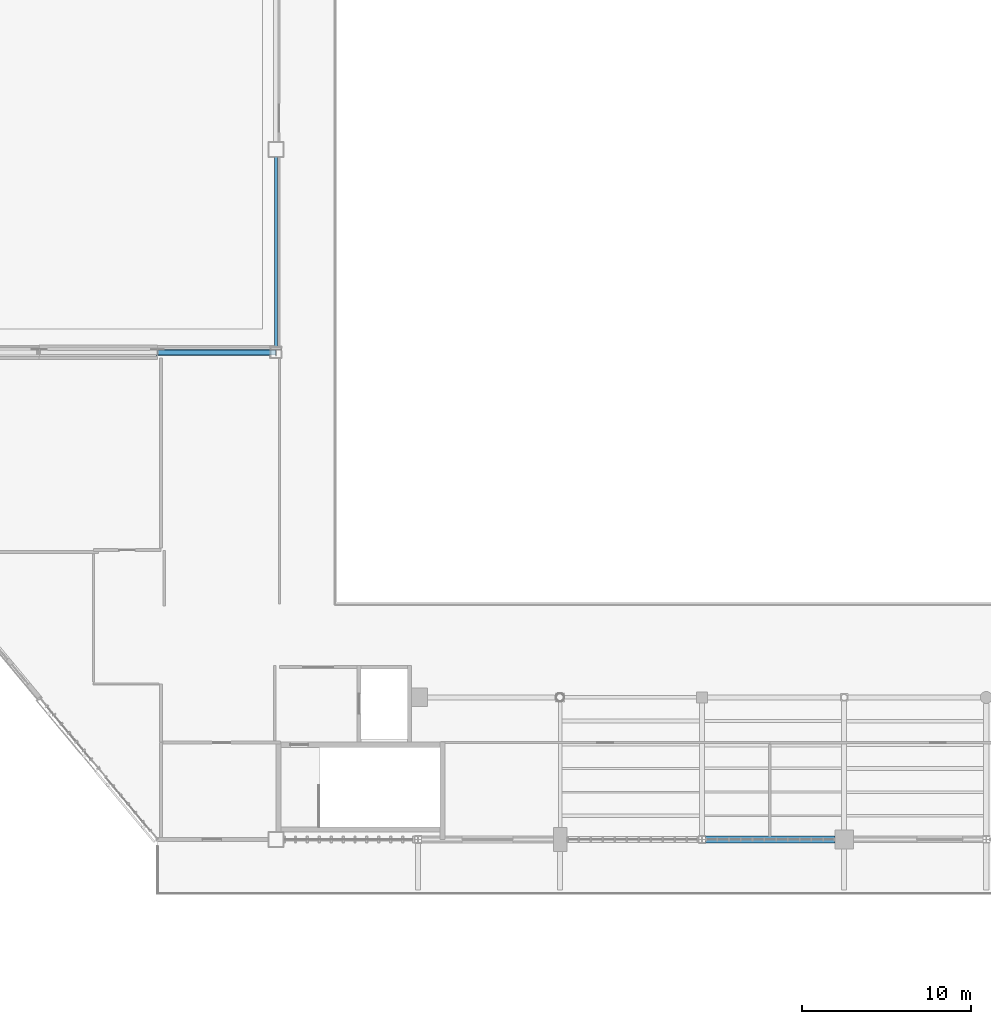
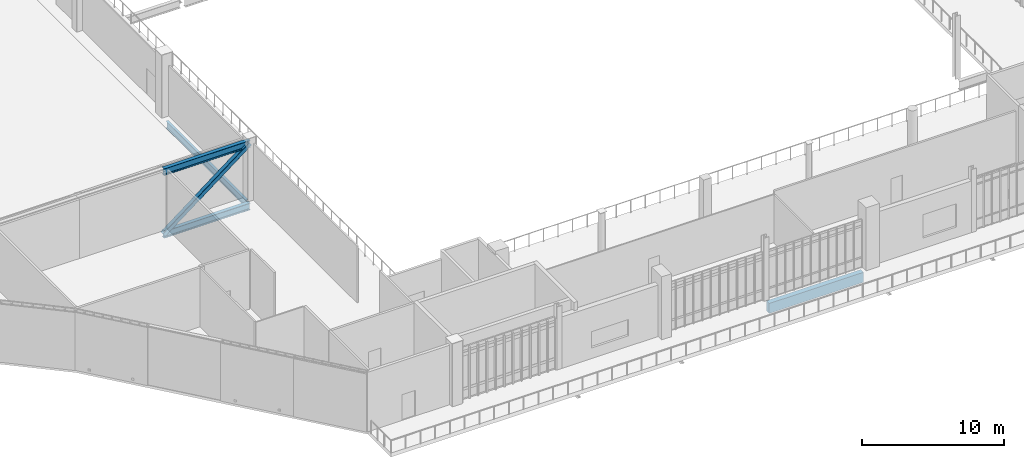
# One storey, part 12 of 135: 4 beams, 1 member.
"""IFC4 building model written with IfcOpenShell, lengths in metres."""

import ifcopenshell
import ifcopenshell.guid

model = None  # the IFC model being written
_history = None  # IfcOwnerHistory: only IFC2X3 demands one
_inside = {}  # id of a spatial element -> (the spatial element, [elements in it])
_under = {}  # id of a project, library or spatial element -> (it, [spatial elements below it])
_declared = {}  # id of a project -> (the project, [libraries it declares])
_typed = {}  # id of a type object -> (the type object, [elements of that type])
_made_of = {}  # id of a material, layer set ... -> (it, [elements and type objects made of it])


def new_model(schema):
    """Start an empty IFC model of exactly this schema.

    Asked for "IFC4X3", IfcOpenShell would pick the latest addendum, in which some entities
    have other attributes; the version numbers below select the first issue.
    IFC2X3 requires an IfcOwnerHistory on every rooted entity: one is made here for all.
    """
    global model, _history
    if schema == "IFC4X3":
        model = ifcopenshell.file(schema_version=(4, 3, 0, 0))
    else:
        model = ifcopenshell.file(schema=schema)
    _inside.clear()
    _under.clear()
    _declared.clear()
    _typed.clear()
    _made_of.clear()
    _history = None
    if model.schema == "IFC2X3":
        org = make("IfcOrganization", Name="unknown")
        user = make(
            "IfcPersonAndOrganization",
            ThePerson=make("IfcPerson", FamilyName="unknown"),
            TheOrganization=org,
        )
        app = make(
            "IfcApplication",
            ApplicationDeveloper=org,
            Version="unknown",
            ApplicationFullName="unknown",
            ApplicationIdentifier="unknown",
        )
        _history = make(
            "IfcOwnerHistory",
            OwningUser=user,
            OwningApplication=app,
            ChangeAction="ADDED",
            CreationDate=0,
        )
    return model


def make(cls, **values):
    """One entity of the class cls with the attributes given. An attribute that is None is left unset."""
    return model.create_entity(
        cls, **{name: value for name, value in values.items() if value is not None}
    )


def rooted(cls, **values):
    """An entity with a GlobalId (a new one), such as an element, a storey or a relation."""
    return make(cls, GlobalId=ifcopenshell.guid.new(), OwnerHistory=_history, **values)


def si_unit(unit_type, name, prefix=None):
    """IfcSIUnit, for example si_unit("LENGTHUNIT", "METRE", prefix="MILLI")."""
    return make("IfcSIUnit", UnitType=unit_type, Prefix=prefix, Name=name)


def assignment(units):
    """IfcUnitAssignment: the units of a project."""
    return None if units is None else make("IfcUnitAssignment", Units=units)


def point(xyz):
    """IfcCartesianPoint."""
    return None if xyz is None else make("IfcCartesianPoint", Coordinates=xyz)


def direction(xyz):
    """IfcDirection."""
    return None if xyz is None else make("IfcDirection", DirectionRatios=xyz)


def frame(location, z_axis=None, x_axis=None):
    """IfcAxis2Placement3D, a coordinate frame: its origin and axes. An axis left out is left unset."""
    return make(
        "IfcAxis2Placement3D",
        Location=point(location),
        Axis=direction(z_axis),
        RefDirection=direction(x_axis),
    )


def frame_2d(location, x_axis=None):
    """IfcAxis2Placement2D, a coordinate frame in the plane: its origin and x axis."""
    return make(
        "IfcAxis2Placement2D", Location=point(location), RefDirection=direction(x_axis)
    )


def origin():
    """The frame at (0, 0, 0) with its axes left unset."""
    return frame((0.0, 0.0, 0.0))


def origin_2d():
    """The frame at (0, 0) in the plane with its x axis left unset."""
    return frame_2d((0.0, 0.0))


def place(relative_to, where):
    """IfcLocalPlacement: puts the frame where relative to a parent placement (None: the world)."""
    return make(
        "IfcLocalPlacement", PlacementRelTo=relative_to, RelativePlacement=where
    )


def context(
    kind, dimensions, precision=None, world=None, true_north=None, identifier=None
):
    """IfcGeometricRepresentationContext, for example the 3D "Model" context."""
    return make(
        "IfcGeometricRepresentationContext",
        ContextIdentifier=identifier,
        ContextType=kind,
        CoordinateSpaceDimension=dimensions,
        Precision=precision,
        WorldCoordinateSystem=world,
        TrueNorth=true_north,
    )


def subcontext(parent, identifier, kind, view, scale=None):
    """IfcGeometricRepresentationSubContext, for example "Body" below "Model"."""
    return make(
        "IfcGeometricRepresentationSubContext",
        ContextIdentifier=identifier,
        ContextType=kind,
        ParentContext=parent,
        TargetScale=scale,
        TargetView=view,
    )


def project(units=None, contexts=None):
    """IfcProject with its units and contexts."""
    return rooted(
        "IfcProject",
        Name="project",
        RepresentationContexts=contexts,
        UnitsInContext=assignment(units),
    )


def spatial(cls, under=None, at=None, **own):
    """A site, building, storey or space (cls), placed at a placement, below another one or the project."""
    s = rooted(cls, ObjectPlacement=at, **own)
    if under is not None:
        _under.setdefault(under.id(), (under, []))[1].append(s)
    return s


def profile(cls, at=None, kind="AREA", **sizes):
    """A parametric profile (cls). Its sizes go by their IFC names, for example OverallWidth=200.0."""
    return make(cls, ProfileType=kind, Position=at, **sizes)


def rectangle(**sizes):
    """IfcRectangleProfileDef."""
    return profile("IfcRectangleProfileDef", **sizes)


def hollow_rectangle(**sizes):
    """IfcRectangleHollowProfileDef."""
    return profile("IfcRectangleHollowProfileDef", **sizes)


def i_section(**sizes):
    """IfcIShapeProfileDef."""
    return profile("IfcIShapeProfileDef", **sizes)


def extrude(swept, where, along, depth):
    """IfcExtrudedAreaSolid: the profile swept, set in the frame where, extruded along a direction by depth."""
    return make(
        "IfcExtrudedAreaSolid",
        SweptArea=swept,
        Position=where,
        ExtrudedDirection=direction(along),
        Depth=depth,
    )


def shape(context_of_items, identifier, shape_type, items):
    """IfcShapeRepresentation: the items that make up one representation, for example the "Body"."""
    return make(
        "IfcShapeRepresentation",
        ContextOfItems=context_of_items,
        RepresentationIdentifier=identifier,
        RepresentationType=shape_type,
        Items=items,
    )


def material(Name=None, Category=None):
    """IfcMaterial."""
    return make("IfcMaterial", Name=Name, Category=Category)


def material_profile(
    of_material, cross_section, Name=None, Category=None, Priority=None
):
    """IfcMaterialProfile: a cross section and its material."""
    return make(
        "IfcMaterialProfile",
        Name=Name,
        Material=of_material,
        Profile=cross_section,
        Priority=Priority,
        Category=Category,
    )


def profile_set(profiles, Name=None, composite=None):
    """IfcMaterialProfileSet."""
    return make(
        "IfcMaterialProfileSet",
        Name=Name,
        MaterialProfiles=profiles,
        CompositeProfile=composite,
    )


def made_of(thing, what):
    """Note that an element or type object is made of a material, layer set ...; save() writes the relation."""
    if what is not None:
        _made_of.setdefault(what.id(), (what, []))[1].append(thing)
    return thing


def type_object(cls, material=None, **own):
    """A type object (cls), such as IfcWallType, which elements share."""
    return made_of(rooted(cls, **own), material)


def element(
    cls,
    number,
    at=None,
    inside=None,
    cuts=None,
    type_object=None,
    material=None,
    context=None,
    identifier="Body",
    shape_type=None,
    held_by="IfcProductDefinitionShape",
    body=None,
    shapes=None,
    **own,
):
    """One element of the class cls, such as IfcWall. Its Tag is "e" and its number.

    at: its placement. inside: the storey or other place that contains it. cuts: it is an
    opening in that element (IfcRelVoidsElement). A single representation is given by context,
    identifier, shape_type and body (its items); several are given by shapes. held_by: the class
    of the entity that holds the representations. save() writes the other relations.
    """
    e = rooted(cls, Tag="e%d" % number, ObjectPlacement=at, **own)
    if body is not None:
        shapes = [shape(context, identifier, shape_type, body)]
    if shapes is not None:
        e.Representation = make(held_by, Representations=shapes)
    if inside is not None:
        _inside.setdefault(inside.id(), (inside, []))[1].append(e)
    if cuts is not None:
        rooted(
            "IfcRelVoidsElement", RelatingBuildingElement=cuts, RelatedOpeningElement=e
        )
    if type_object is not None:
        _typed.setdefault(type_object.id(), (type_object, []))[1].append(e)
    return made_of(e, material)


def aggregate(whole, parts):
    """IfcRelAggregates: a whole, such as a stair, and the parts it consists of."""
    return rooted("IfcRelAggregates", RelatingObject=whole, RelatedObjects=parts)


def save(model, path):
    """Write the relations noted so far, then the file.

    IfcRelAggregates (storeys below a building ...), IfcRelContainedInSpatialStructure (elements
    in a storey), IfcRelDefinesByType, IfcRelAssociatesMaterial and IfcRelDeclares: one each for
    every whole, place, type object, material and project.
    """
    for whole, parts in _under.values():
        aggregate(whole, parts)
    for where, things in _inside.values():
        rooted(
            "IfcRelContainedInSpatialStructure",
            RelatedElements=things,
            RelatingStructure=where,
        )
    for kind, things in _typed.values():
        rooted("IfcRelDefinesByType", RelatedObjects=things, RelatingType=kind)
    for what, things in _made_of.values():
        rooted("IfcRelAssociatesMaterial", RelatedObjects=things, RelatingMaterial=what)
    for by, libraries in _declared.values():
        rooted("IfcRelDeclares", RelatingContext=by, RelatedDefinitions=libraries)
    model.write(path)


model = new_model("IFC4")

# Units and contexts
model_context = context("Model", 3, precision=1e-05, world=origin(), true_north=direction((0.0, 1.0)))
body_context = subcontext(model_context, "Body", "Model", "MODEL_VIEW")
ifc_project = project(units=[si_unit("LENGTHUNIT", "METRE"), si_unit("AREAUNIT", "SQUARE_METRE"), si_unit("VOLUMEUNIT", "CUBIC_METRE"), si_unit("PLANEANGLEUNIT", "RADIAN"), si_unit("MASSUNIT", "GRAM", prefix="KILO")], contexts=[model_context])

# Site, building, storey
site_placement = place(None, origin())
site = spatial("IfcSite", under=ifc_project, at=site_placement, CompositionType="ELEMENT")
building_placement = place(site_placement, origin())
building = spatial("IfcBuilding", under=site, at=building_placement, Name="Larkvane Passage Sports Hall", CompositionType="ELEMENT")
storey_placement = place(building_placement, frame((0.0, 0.0, 16.800048828125)))
storey = spatial("IfcBuildingStorey", under=building, at=storey_placement, Name="L03", CompositionType="ELEMENT", Elevation=16.800048828125)

# Beams
ifc_material_1 = material(Name="Steel S460N", Category="steel")
ifc_material_profile_1 = material_profile(ifc_material_1, i_section(OverallWidth=0.300048828125, OverallDepth=0.587890625, WebThickness=0.011962890625, FlangeThickness=0.02001953125, FilletRadius=0.02197265625, at=origin_2d()), Name="H-588x300x12x20")
ifc_profile_set_1 = profile_set([ifc_material_profile_1], Name="Steel S460N")
beam_type_1 = type_object("IfcBeamType", Name="BM-STL-H588", PredefinedType="BEAM", material=ifc_profile_set_1)
for number, where, z_axis, x_axis, name in (
    (1, (27.800048828125, 51.60009765625, -0.614013671875), (1.0, 0.0, 0.0), (0.0, 1.0, 0.0), "Cantilever truss CT-W3A-1 bottom chord 5"),
    (2, (27.800048828125, 51.60009765625, 4.755859375), (1.0, 0.0, 0.0), (0.0, 1.0, 0.0), "Cantilever truss CT-W3A-1 top chord 5"),
):
    element("IfcBeam", number, at=place(storey_placement, frame(where, z_axis=z_axis, x_axis=x_axis)), inside=storey, type_object=beam_type_1, Name=name, PredefinedType="BEAM", context=body_context, shape_type="SweptSolid", body=[
        extrude(i_section(OverallWidth=0.300048828125, OverallDepth=0.587890625, WebThickness=0.011962890625, FlangeThickness=0.02001953125, FilletRadius=0.02197265625, at=origin_2d()), origin(), (0.0, 0.0, 1.0), 7.0),
    ])
ifc_material_2 = material(Name="Steel S355JR", Category="steel")
ifc_material_profile_2 = material_profile(ifc_material_2, i_section(OverallWidth=0.199951171875, OverallDepth=0.60009765625, WebThickness=0.010986328125, FlangeThickness=0.01708984375, FilletRadius=0.01806640625, at=origin_2d()), Name="H-600x200x11x17")
ifc_profile_set_2 = profile_set([ifc_material_profile_2], Name="Steel S355JR")
beam_type_2 = type_object("IfcBeamType", Name="BM-STL-H600", PredefinedType="BEAM", material=ifc_profile_set_2)
beam_1_placement = place(storey_placement, frame((34.800048828125, 51.949951171875, -0.64013671875), z_axis=(0.0, 1.0, 0.0), x_axis=(-1.0, 0.0, 0.0)))
element("IfcBeam", 3, at=beam_1_placement, inside=storey, type_object=beam_type_2, Name="Girder BM5-Y-L03-6-1017", PredefinedType="BEAM", context=body_context, shape_type="SweptSolid", body=[
    extrude(i_section(OverallWidth=0.199951171875, OverallDepth=0.60009765625, WebThickness=0.010986328125, FlangeThickness=0.01708984375, FilletRadius=0.01806640625, at=origin_2d()), origin(), (0.0, 0.0, 1.0), 11.199951171875),
])

# Member
ifc_material_profile_3 = material_profile(ifc_material_1, hollow_rectangle(XDim=0.35009765625, YDim=0.35009765625, WallThickness=0.01611328125, InnerFilletRadius=0.01611328125, OuterFilletRadius=0.031982421875, at=origin_2d()), Name="SHS-350x350x16")
ifc_profile_set_3 = profile_set([ifc_material_profile_3], Name="Steel S460N")
member_type = type_object("IfcMemberType", Name="MBR-BR-SHS350", PredefinedType="BRACE", material=ifc_profile_set_3)
member_placement = place(storey_placement, frame((27.800048828125, 51.60009765625, -0.614013671875), z_axis=(0.793430842103, 0.0, 0.608660413367), x_axis=(0.0, 1.0, 0.0)))
element("IfcMember", 4, at=member_placement, inside=storey, type_object=member_type, Name="Cantilever truss CT-W3A-1 web diagonal 5", PredefinedType="BRACE", context=body_context, shape_type="SweptSolid", body=[
    extrude(hollow_rectangle(XDim=0.35009765625, YDim=0.35009765625, WallThickness=0.01611328125, InnerFilletRadius=0.01611328125, OuterFilletRadius=0.031982421875, at=origin_2d()), origin(), (0.0, 0.0, 1.0), 8.822509765625),
])

# Beam
ifc_material_3 = material(Name="Concrete C40/50", Category="concrete")
ifc_material_profile_4 = material_profile(ifc_material_3, rectangle(XDim=0.39990234375, YDim=0.85009765625, at=origin_2d()), Name="RC-SP-400x850")
ifc_profile_set_4 = profile_set([ifc_material_profile_4], Name="Concrete C40/50")
beam_type_3 = type_object("IfcBeamType", Name="SP-RC-400x850", PredefinedType="SPANDREL", material=ifc_profile_set_4)
beam_2_placement = place(storey_placement, frame((60.20361328125, 22.800048828125, -0.76513671875), z_axis=(1.0, 0.0, 0.0), x_axis=(0.0, 1.0, 0.0)))
element("IfcBeam", 5, at=beam_2_placement, inside=storey, type_object=beam_type_3, Name="Girder BM5-X-L03-D-0978", PredefinedType="SPANDREL", context=body_context, shape_type="SweptSolid", body=[
    extrude(rectangle(XDim=0.39990234375, YDim=0.85009765625, at=origin_2d()), origin(), (0.0, 0.0, 1.0), 7.646484375),
])

save(model, "model.ifc")
